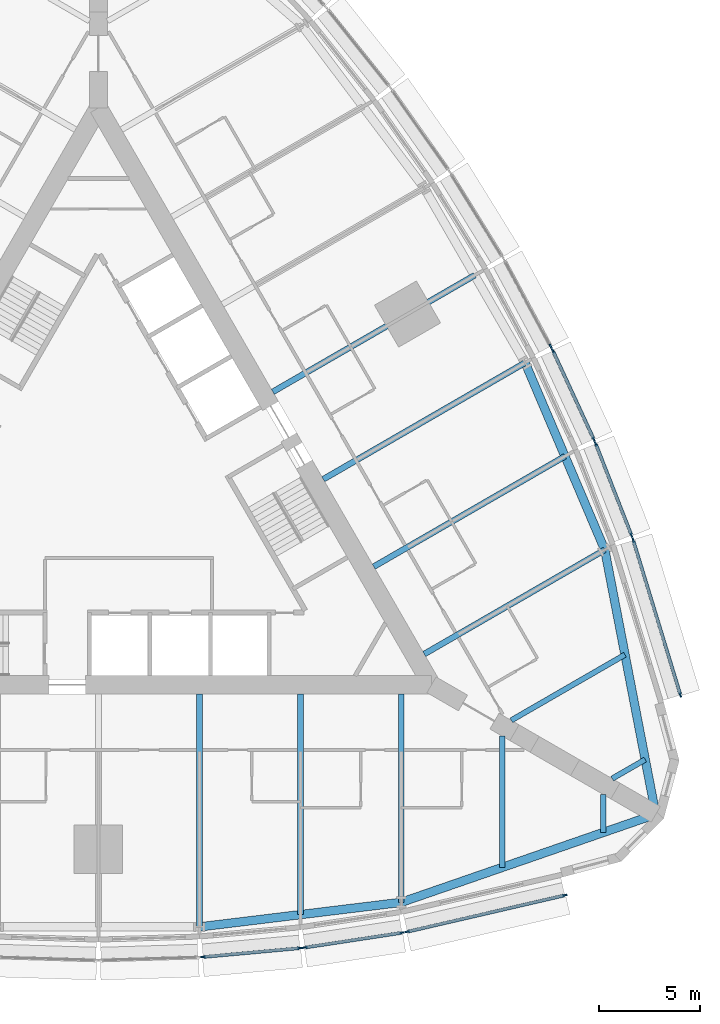
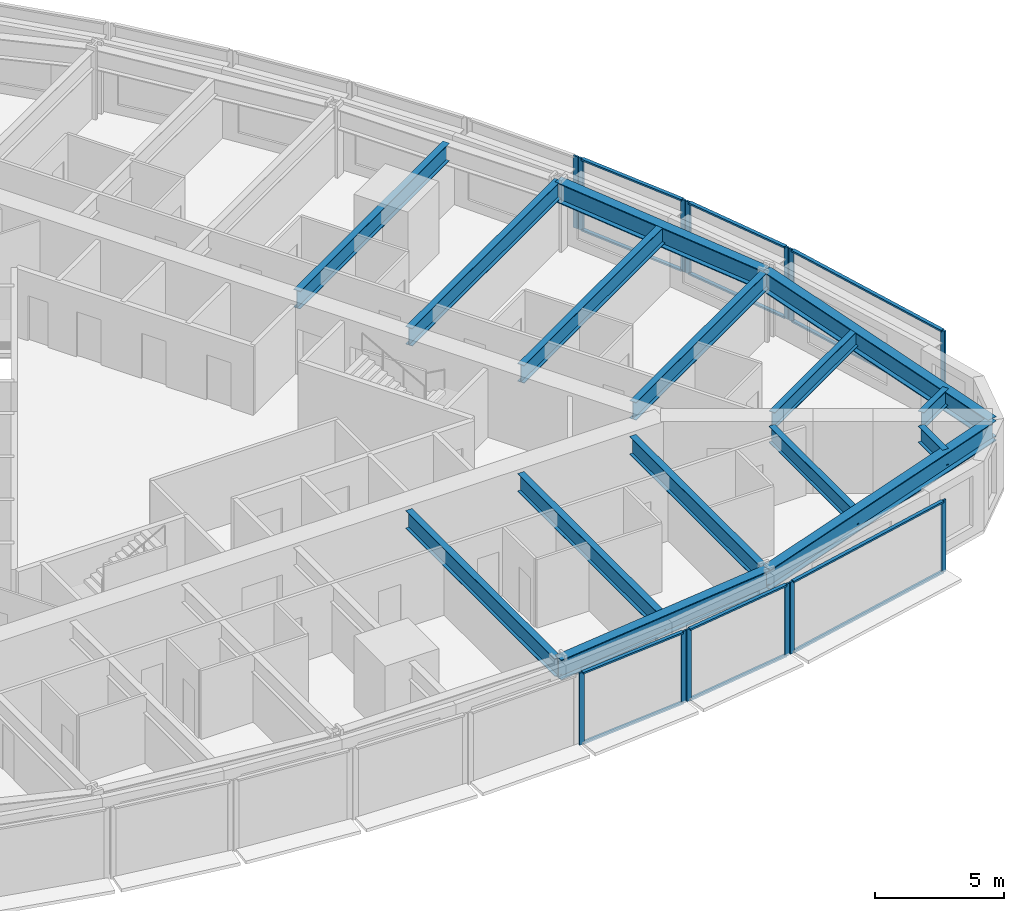
# One storey, part 3 of 14: 25 members, 15 beams, 7 elements without a shape of their own.
"""IFC4 building model written with IfcOpenShell, lengths in metres."""

from ifc_helpers import new_model, si_unit, direction, frame, origin, origin_2d, place, context, subcontext, project, spatial, rectangle, i_section, extrude, material, material_profile, profile_set, type_object, element, aggregate, save


model = new_model("IFC4")

# Units and contexts
model_context = context("Model", 3, precision=1e-05, world=origin(), true_north=direction((0.0, 1.0)))
body_context = subcontext(model_context, "Body", "Model", "MODEL_VIEW")
ifc_project = project(units=[si_unit("LENGTHUNIT", "METRE"), si_unit("AREAUNIT", "SQUARE_METRE"), si_unit("VOLUMEUNIT", "CUBIC_METRE"), si_unit("PLANEANGLEUNIT", "RADIAN"), si_unit("MASSUNIT", "GRAM", prefix="KILO")], contexts=[model_context])

# Site, building, storey
site_placement = place(None, origin())
site = spatial("IfcSite", under=ifc_project, at=site_placement, CompositionType="ELEMENT")
building_placement = place(site_placement, origin())
building = spatial("IfcBuilding", under=site, at=building_placement, Name="Trikona Tower", CompositionType="ELEMENT")
storey_placement = place(building_placement, frame((0.0, 0.0, 28.5)))
storey = spatial("IfcBuildingStorey", under=building, at=storey_placement, Name="L05", CompositionType="ELEMENT", Elevation=28.5)

# Curtain wall, members
ifc_material_1 = material(Name="Aluminium curtain wall system", Category="aluminium")
curtain_wall_type = type_object("IfcCurtainWallType", Name="Curtain wall DS1", PredefinedType="NOTDEFINED", material=ifc_material_1)
curtain_wall_1_placement = place(storey_placement, origin())
curtain_wall_1 = element("IfcCurtainWall", 1, at=curtain_wall_1_placement, inside=storey, type_object=curtain_wall_type, Name="Curtain wall DS1 L05", PredefinedType="NOTDEFINED")
ifc_material_2 = material(Name="Aluminium mullion, pale anodised", Category="aluminium")
ifc_material_profile_1 = material_profile(ifc_material_2, rectangle(XDim=0.080078125, YDim=0.219970703125, at=origin_2d()), Name="MUL-DS1")
ifc_profile_set_1 = profile_set([ifc_material_profile_1], Name="Aluminium mullion, pale anodised")
member_type_1 = type_object("IfcMemberType", Name="Mullion DS1 80x220", PredefinedType="MULLION", material=ifc_profile_set_1)
member_1_placement = place(storey_placement, frame((5.181396484375, -23.007568359375, 0.0), z_axis=(0.0, 0.0, 1.0), x_axis=(-0.090923932737, 0.995857840485, 0.0)))
member_1 = element("IfcMember", 2, at=member_1_placement, type_object=member_type_1, Name="CW-DS1 mullion 1", PredefinedType="MULLION", context=body_context, shape_type="SweptSolid", body=[
    extrude(rectangle(XDim=0.080078125, YDim=0.219970703125, at=origin_2d()), origin(), (0.0, 0.0, 1.0), 3.39990234375),
])
member_2_placement = place(storey_placement, frame((9.982177734375, -22.5693359375, 0.0), z_axis=(0.0, 0.0, 1.0), x_axis=(-0.090923932737, 0.995857840485, 0.0)))
member_2 = element("IfcMember", 3, at=member_2_placement, type_object=member_type_1, Name="CW-DS1 mullion 2", PredefinedType="MULLION", context=body_context, shape_type="SweptSolid", body=[
    extrude(rectangle(XDim=0.080078125, YDim=0.219970703125, at=origin_2d()), origin(), (0.0, 0.0, 1.0), 3.39990234375),
])

curtain_wall_2_placement = place(storey_placement, origin())
curtain_wall_2 = element("IfcCurtainWall", 4, at=curtain_wall_2_placement, inside=storey, type_object=curtain_wall_type, Name="Curtain wall DS1 L05", PredefinedType="NOTDEFINED")
member_3_placement = place(storey_placement, frame((10.234130859375, -22.53857421875, 0.0), z_axis=(0.0, 0.0, 1.0), x_axis=(-0.150437693845, 0.988619492156, 0.0)))
member_3 = element("IfcMember", 5, at=member_3_placement, type_object=member_type_1, Name="CW-DS1 mullion 1", PredefinedType="MULLION", context=body_context, shape_type="SweptSolid", body=[
    extrude(rectangle(XDim=0.080078125, YDim=0.219970703125, at=origin_2d()), origin(), (0.0, 0.0, 1.0), 3.39990234375),
])
member_4_placement = place(storey_placement, frame((15.03662109375, -21.807861328125, 0.0), z_axis=(0.0, 0.0, 1.0), x_axis=(-0.150437693845, 0.988619492156, 0.0)))
member_4 = element("IfcMember", 6, at=member_4_placement, type_object=member_type_1, Name="CW-DS1 mullion 2", PredefinedType="MULLION", context=body_context, shape_type="SweptSolid", body=[
    extrude(rectangle(XDim=0.080078125, YDim=0.219970703125, at=origin_2d()), origin(), (0.0, 0.0, 1.0), 3.39990234375),
])

curtain_wall_3_placement = place(storey_placement, origin())
curtain_wall_3 = element("IfcCurtainWall", 7, at=curtain_wall_3_placement, inside=storey, type_object=curtain_wall_type, Name="Curtain wall DS1 L05", PredefinedType="NOTDEFINED")
member_5_placement = place(storey_placement, frame((15.30029296875, -21.75732421875, 0.0), z_axis=(0.0, 0.0, 1.0), x_axis=(-0.225343288756, 0.974279427173, 0.0)))
member_5 = element("IfcMember", 8, at=member_5_placement, type_object=member_type_1, Name="CW-DS1 mullion 1", PredefinedType="MULLION", context=body_context, shape_type="SweptSolid", body=[
    extrude(rectangle(XDim=0.080078125, YDim=0.219970703125, at=origin_2d()), origin(), (0.0, 0.0, 1.0), 3.39990234375),
])
member_6_placement = place(storey_placement, frame((23.10546875, -19.951904296875, 0.0), z_axis=(0.0, 0.0, 1.0), x_axis=(-0.225343288756, 0.974279427173, 0.0)))
member_6 = element("IfcMember", 9, at=member_6_placement, type_object=member_type_1, Name="CW-DS1 mullion 2", PredefinedType="MULLION", context=body_context, shape_type="SweptSolid", body=[
    extrude(rectangle(XDim=0.080078125, YDim=0.219970703125, at=origin_2d()), origin(), (0.0, 0.0, 1.0), 3.39990234375),
])

curtain_wall_4_placement = place(storey_placement, origin())
curtain_wall_4 = element("IfcCurtainWall", 10, at=curtain_wall_4_placement, inside=storey, type_object=curtain_wall_type, Name="Curtain wall DS1 L05", PredefinedType="NOTDEFINED")
member_7_placement = place(storey_placement, frame((28.83154296875, -10.033935546875, 0.0), z_axis=(0.0, 0.0, 1.0), x_axis=(-0.956423115383, -0.291984287868, 0.0)))
member_7 = element("IfcMember", 11, at=member_7_placement, type_object=member_type_1, Name="CW-DS1 mullion 1", PredefinedType="MULLION", context=body_context, shape_type="SweptSolid", body=[
    extrude(rectangle(XDim=0.080078125, YDim=0.219970703125, at=origin_2d()), origin(), (0.0, 0.0, 1.0), 3.39990234375),
])
member_8_placement = place(storey_placement, frame((26.492431640625, -2.371826171875, 0.0), z_axis=(0.0, 0.0, 1.0), x_axis=(-0.956423115383, -0.291984287868, 0.0)))
member_8 = element("IfcMember", 12, at=member_8_placement, type_object=member_type_1, Name="CW-DS1 mullion 2", PredefinedType="MULLION", context=body_context, shape_type="SweptSolid", body=[
    extrude(rectangle(XDim=0.080078125, YDim=0.219970703125, at=origin_2d()), origin(), (0.0, 0.0, 1.0), 3.39990234375),
])

curtain_wall_5_placement = place(storey_placement, origin())
curtain_wall_5 = element("IfcCurtainWall", 13, at=curtain_wall_5_placement, inside=storey, type_object=curtain_wall_type, Name="Curtain wall DS1 L05", PredefinedType="NOTDEFINED")
member_9_placement = place(storey_placement, frame((26.404296875, -2.1181640625, 0.0), z_axis=(0.0, 0.0, 1.0), x_axis=(-0.931395989443, -0.36400756977, 0.0)))
member_9 = element("IfcMember", 14, at=member_9_placement, type_object=member_type_1, Name="CW-DS1 mullion 1", PredefinedType="MULLION", context=body_context, shape_type="SweptSolid", body=[
    extrude(rectangle(XDim=0.080078125, YDim=0.219970703125, at=origin_2d()), origin(), (0.0, 0.0, 1.0), 3.39990234375),
])
member_10_placement = place(storey_placement, frame((24.63623046875, 2.40625, 0.0), z_axis=(0.0, 0.0, 1.0), x_axis=(-0.931395989443, -0.36400756977, 0.0)))
member_10 = element("IfcMember", 15, at=member_10_placement, type_object=member_type_1, Name="CW-DS1 mullion 2", PredefinedType="MULLION", context=body_context, shape_type="SweptSolid", body=[
    extrude(rectangle(XDim=0.080078125, YDim=0.219970703125, at=origin_2d()), origin(), (0.0, 0.0, 1.0), 3.39990234375),
])

curtain_wall_6_placement = place(storey_placement, origin())
curtain_wall_6 = element("IfcCurtainWall", 16, at=curtain_wall_6_placement, inside=storey, type_object=curtain_wall_type, Name="Curtain wall DS1 L05", PredefinedType="NOTDEFINED")
member_11_placement = place(storey_placement, frame((24.53662109375, 2.6396484375, 0.0), z_axis=(0.0, 0.0, 1.0), x_axis=(-0.907898459992, -0.419190155352, 0.0)))
member_11 = element("IfcMember", 17, at=member_11_placement, type_object=member_type_1, Name="CW-DS1 mullion 1", PredefinedType="MULLION", context=body_context, shape_type="SweptSolid", body=[
    extrude(rectangle(XDim=0.080078125, YDim=0.219970703125, at=origin_2d()), origin(), (0.0, 0.0, 1.0), 3.39990234375),
])
member_12_placement = place(storey_placement, frame((22.515869140625, 7.0166015625, 0.0), z_axis=(0.0, 0.0, 1.0), x_axis=(-0.907898459992, -0.419190155352, 0.0)))
member_12 = element("IfcMember", 18, at=member_12_placement, type_object=member_type_1, Name="CW-DS1 mullion 2", PredefinedType="MULLION", context=body_context, shape_type="SweptSolid", body=[
    extrude(rectangle(XDim=0.080078125, YDim=0.219970703125, at=origin_2d()), origin(), (0.0, 0.0, 1.0), 3.39990234375),
])

# Curtain wall, member
curtain_wall_7_placement = place(storey_placement, origin())
curtain_wall_7 = element("IfcCurtainWall", 19, at=curtain_wall_7_placement, inside=storey, type_object=curtain_wall_type, Name="Curtain wall DS1 L05", PredefinedType="NOTDEFINED")
member_13_placement = place(storey_placement, frame((22.402099609375, 7.244140625, 0.0), z_axis=(0.0, 0.0, 1.0), x_axis=(-0.880843080975, -0.473408350896, 0.0)))
member_13 = element("IfcMember", 20, at=member_13_placement, type_object=member_type_1, Name="CW-DS1 mullion 1", PredefinedType="MULLION", context=body_context, shape_type="SweptSolid", body=[
    extrude(rectangle(XDim=0.080078125, YDim=0.219970703125, at=origin_2d()), origin(), (0.0, 0.0, 1.0), 3.39990234375),
])
aggregate(curtain_wall_7, [member_13])

# Beams
ifc_material_3 = material(Name="Steel ASTM A992 Grade 50", Category="steel")
ifc_material_profile_2 = material_profile(ifc_material_3, i_section(OverallWidth=0.2666015625, OverallDepth=0.76953125, WebThickness=0.015625, FlangeThickness=0.025390625, at=origin_2d()), Name="W30X132")
ifc_profile_set_2 = profile_set([ifc_material_profile_2], Name="Steel ASTM A992 Grade 50")
beam_type_1 = type_object("IfcBeamType", Name="Steel beam W30x132 (wedge)", PredefinedType="BEAM", material=ifc_profile_set_2)
beam_1_placement = place(storey_placement, frame((20.0, -12.066650390625, 2.85009765625), z_axis=(0.0, -1.0, 0.0), x_axis=(1.0, 0.0, 0.0)))
element("IfcBeam", 21, at=beam_1_placement, inside=storey, type_object=beam_type_1, Name="Floor beam L06 F1 u20", PredefinedType="BEAM", context=body_context, shape_type="SweptSolid", body=[
    extrude(i_section(OverallWidth=0.2666015625, OverallDepth=0.76953125, WebThickness=0.015625, FlangeThickness=0.025390625, at=origin_2d()), origin(), (0.0, 0.0, 1.0), 6.5068359375),
])
for number, where, z_axis, x_axis, name in (
    (22, (25.0, -14.953369140625, 2.85009765625), (0.0, -1.0, 0.0), (1.0, 0.0, 0.0), "Floor beam L06 F1 u25"),
    (23, (25.449951171875, -14.173828125, 2.85009765625), (0.866065156741, 0.499931139538, 0.0), (-0.499931139538, 0.866065156741, 0.0), "Floor beam L06 F2 u-25"),
):
    element("IfcBeam", number, at=place(storey_placement, frame(where, z_axis=z_axis, x_axis=x_axis)), inside=storey, type_object=beam_type_1, Name=name, PredefinedType="BEAM", context=body_context, shape_type="SweptSolid", body=[
        extrude(i_section(OverallWidth=0.2666015625, OverallDepth=0.76953125, WebThickness=0.015625, FlangeThickness=0.025390625, at=origin_2d()), origin(), (0.0, 0.0, 1.0), 1.890380859375),
    ])
beam_2_placement = place(storey_placement, frame((20.449951171875, -11.287109375, 2.85009765625), z_axis=(0.866022504693, 0.50000502134, 0.0), x_axis=(-0.50000502134, 0.866022504693, 0.0)))
element("IfcBeam", 24, at=beam_2_placement, inside=storey, type_object=beam_type_1, Name="Floor beam L06 F2 u-20", PredefinedType="BEAM", context=body_context, shape_type="SweptSolid", body=[
    extrude(i_section(OverallWidth=0.2666015625, OverallDepth=0.76953125, WebThickness=0.015625, FlangeThickness=0.025390625, at=origin_2d()), origin(), (0.0, 0.0, 1.0), 6.5068359375),
])
ifc_material_4 = material(Name="Steel ASTM A992 Grade 50", Category="steel")
ifc_material_profile_3 = material_profile(ifc_material_4, i_section(OverallWidth=0.2919921875, OverallDepth=0.845703125, WebThickness=0.015380859375, FlangeThickness=0.0244140625, at=origin_2d()), Name="W33X141")
ifc_profile_set_3 = profile_set([ifc_material_profile_3], Name="Steel ASTM A992 Grade 50")
beam_type_2 = type_object("IfcBeamType", Name="Steel beam W33x141 (radial typ)", PredefinedType="BEAM", material=ifc_profile_set_3)
beam_3_placement = place(storey_placement, frame((5.0, -9.976318359375, 2.81201171875), z_axis=(0.0, -1.0, 0.0), x_axis=(1.0, 0.0, 0.0)))
element("IfcBeam", 25, at=beam_3_placement, inside=storey, type_object=beam_type_2, Name="Floor beam L06 F1 u5", PredefinedType="BEAM", context=body_context, shape_type="SweptSolid", body=[
    extrude(i_section(OverallWidth=0.2919921875, OverallDepth=0.845703125, WebThickness=0.015380859375, FlangeThickness=0.0244140625, at=origin_2d()), origin(), (0.0, 0.0, 1.0), 11.544189453125),
])
beam_4_placement = place(storey_placement, frame((10.0, -9.976318359375, 2.81201171875), z_axis=(0.0, -1.0, 0.0), x_axis=(1.0, 0.0, 0.0)))
element("IfcBeam", 26, at=beam_4_placement, inside=storey, type_object=beam_type_2, Name="Floor beam L06 F1 u10", PredefinedType="BEAM", context=body_context, shape_type="SweptSolid", body=[
    extrude(i_section(OverallWidth=0.2919921875, OverallDepth=0.845703125, WebThickness=0.015380859375, FlangeThickness=0.0244140625, at=origin_2d()), origin(), (0.0, 0.0, 1.0), 10.935302734375),
])
beam_5_placement = place(storey_placement, frame((15.0, -9.976318359375, 2.81201171875), z_axis=(0.0, -1.0, 0.0), x_axis=(1.0, 0.0, 0.0)))
element("IfcBeam", 27, at=beam_5_placement, inside=storey, type_object=beam_type_2, Name="Floor beam L06 F1 u15", PredefinedType="BEAM", context=body_context, shape_type="SweptSolid", body=[
    extrude(i_section(OverallWidth=0.2919921875, OverallDepth=0.845703125, WebThickness=0.015380859375, FlangeThickness=0.0244140625, at=origin_2d()), origin(), (0.0, 0.0, 1.0), 10.32666015625),
])
beam_6_placement = place(storey_placement, frame((16.1396484375, -8.002197265625, 2.81201171875), z_axis=(0.866030471684, 0.499991222037, 0.0), x_axis=(-0.499991222037, 0.866030471684, 0.0)))
element("IfcBeam", 28, at=beam_6_placement, inside=storey, type_object=beam_type_2, Name="Floor beam L06 F2 u-15", PredefinedType="BEAM", context=body_context, shape_type="SweptSolid", body=[
    extrude(i_section(OverallWidth=0.2919921875, OverallDepth=0.845703125, WebThickness=0.015380859375, FlangeThickness=0.0244140625, at=origin_2d()), origin(), (0.0, 0.0, 1.0), 10.326904296875),
])
beam_7_placement = place(storey_placement, frame((13.6396484375, -3.672119140625, 2.81201171875), z_axis=(0.866025348605, 0.500000095573, 0.0), x_axis=(-0.500000095573, 0.866025348605, 0.0)))
element("IfcBeam", 29, at=beam_7_placement, inside=storey, type_object=beam_type_2, Name="Floor beam L06 F2 u-10", PredefinedType="BEAM", context=body_context, shape_type="SweptSolid", body=[
    extrude(i_section(OverallWidth=0.2919921875, OverallDepth=0.845703125, WebThickness=0.015380859375, FlangeThickness=0.0244140625, at=origin_2d()), origin(), (0.0, 0.0, 1.0), 10.935546875),
])
for number, where, z_axis, x_axis, name in (
    (30, (11.1396484375, 0.657958984375, 2.81201171875), (0.866020765707, 0.500008033299, 0.0), (-0.500008033299, 0.866020765707, 0.0), "Floor beam L06 F2 u-5"),
    (31, (8.6396484375, 4.988037109375, 2.81201171875), (0.866020765707, 0.500008033299, 0.0), (-0.500008033299, 0.866020765707, 0.0), "Floor beam L06 F2 u0"),
):
    element("IfcBeam", number, at=place(storey_placement, frame(where, z_axis=z_axis, x_axis=x_axis)), inside=storey, type_object=beam_type_2, Name=name, PredefinedType="BEAM", context=body_context, shape_type="SweptSolid", body=[
        extrude(i_section(OverallWidth=0.2919921875, OverallDepth=0.845703125, WebThickness=0.015380859375, FlangeThickness=0.0244140625, at=origin_2d()), origin(), (0.0, 0.0, 1.0), 11.544189453125),
    ])
ifc_material_5 = material(Name="Steel ASTM A992 Grade 50", Category="steel")
ifc_material_profile_4 = material_profile(ifc_material_5, i_section(OverallWidth=0.424072265625, OverallDepth=0.947509765625, WebThickness=0.02392578125, FlangeThickness=0.042724609375, at=origin_2d()), Name="W36X302")
ifc_profile_set_4 = profile_set([ifc_material_profile_4], Name="Steel ASTM A992 Grade 50")
beam_type_3 = type_object("IfcBeamType", Name="Steel beam W36x302 (spandrel)", PredefinedType="SPANDREL", material=ifc_profile_set_4)
beam_8_placement = place(storey_placement, frame((5.0, -21.5205078125, 2.76123046875), z_axis=(0.99266951126, 0.120860421207, 0.0), x_axis=(-0.120860421207, 0.99266951126, 0.0)))
element("IfcBeam", 32, at=beam_8_placement, inside=storey, type_object=beam_type_3, Name="Spandrel beam L06 F1-4", PredefinedType="SPANDREL", context=body_context, shape_type="SweptSolid", body=[
    extrude(i_section(OverallWidth=0.424072265625, OverallDepth=0.947509765625, WebThickness=0.02392578125, FlangeThickness=0.042724609375, at=origin_2d()), origin(), (0.0, 0.0, 1.0), 10.07373046875),
])
for number, where, z_axis, x_axis, name in (
    (33, (15.0, -20.302978515625, 2.76123046875), (0.945056965739, 0.326905692071, 0.0), (-0.326905692071, 0.945056965739, 0.0), "Spandrel beam L06 F1-5"),
    (34, (27.6103515625, -15.94091796875, 2.76123046875), (-0.189405184036, 0.981899015307, 0.0), (-0.981899015307, -0.189405184036, 0.0), "Spandrel beam L06 F2-1"),
):
    element("IfcBeam", number, at=place(storey_placement, frame(where, z_axis=z_axis, x_axis=x_axis)), inside=storey, type_object=beam_type_3, Name=name, PredefinedType="SPANDREL", context=body_context, shape_type="SweptSolid", body=[
        extrude(i_section(OverallWidth=0.424072265625, OverallDepth=0.947509765625, WebThickness=0.02392578125, FlangeThickness=0.042724609375, at=origin_2d()), origin(), (0.0, 0.0, 1.0), 13.343505859375),
    ])
beam_9_placement = place(storey_placement, frame((25.0830078125, -2.8388671875, 2.76123046875), z_axis=(-0.391683514847, 0.920100007715, 0.0), x_axis=(-0.920100007715, -0.391683514847, 0.0)))
element("IfcBeam", 35, at=beam_9_placement, inside=storey, type_object=beam_type_3, Name="Spandrel beam L06 F2-2", PredefinedType="SPANDREL", context=body_context, shape_type="SweptSolid", body=[
    extrude(i_section(OverallWidth=0.424072265625, OverallDepth=0.947509765625, WebThickness=0.02392578125, FlangeThickness=0.042724609375, at=origin_2d()), origin(), (0.0, 0.0, 1.0), 10.073974609375),
])

# Member
ifc_material_6 = material(Name="Aluminium transom, pale anodised", Category="aluminium")
ifc_material_profile_5 = material_profile(ifc_material_6, rectangle(XDim=0.159912109375, YDim=0.080078125, at=origin_2d()), Name="TRN-DS1")
ifc_profile_set_5 = profile_set([ifc_material_profile_5], Name="Aluminium transom, pale anodised")
member_type_2 = type_object("IfcMemberType", Name="Transom DS1 80x160", PredefinedType="USERDEFINED", material=ifc_profile_set_5)
member_14_placement = place(storey_placement, frame((5.22119140625, -23.00390625, 0.0400390625), z_axis=(0.995855977008, 0.090944340438, 0.0), x_axis=(-0.090944340438, 0.995855977008, 0.0)))
member_14 = element("IfcMember", 36, at=member_14_placement, type_object=member_type_2, Name="CW-DS1 transom 1.1", ObjectType="TRANSOM", PredefinedType="USERDEFINED", context=body_context, shape_type="SweptSolid", body=[
    extrude(rectangle(XDim=0.159912109375, YDim=0.080078125, at=origin_2d()), origin(), (0.0, 0.0, 1.0), 4.74072265625),
])

member_15_placement = place(storey_placement, frame((5.22119140625, -23.00390625, 3.360107421875), z_axis=(0.995855977008, 0.090944340438, 0.0), x_axis=(-0.090944340438, 0.995855977008, 0.0)))
member_15 = element("IfcMember", 37, at=member_15_placement, type_object=member_type_2, Name="CW-DS1 transom 1.2", ObjectType="TRANSOM", PredefinedType="USERDEFINED", context=body_context, shape_type="SweptSolid", body=[
    extrude(rectangle(XDim=0.159912109375, YDim=0.080078125, at=origin_2d()), origin(), (0.0, 0.0, 1.0), 4.74072265625),
])

aggregate(curtain_wall_1, [member_1, member_2, member_14, member_15])

member_16_placement = place(storey_placement, frame((10.273681640625, -22.532470703125, 0.0400390625), z_axis=(0.988619663412, 0.150436568413, 0.0), x_axis=(-0.150436568413, 0.988619663412, 0.0)))
member_16 = element("IfcMember", 38, at=member_16_placement, type_object=member_type_2, Name="CW-DS1 transom 1.1", ObjectType="TRANSOM", PredefinedType="USERDEFINED", context=body_context, shape_type="SweptSolid", body=[
    extrude(rectangle(XDim=0.159912109375, YDim=0.080078125, at=origin_2d()), origin(), (0.0, 0.0, 1.0), 4.77783203125),
])

member_17_placement = place(storey_placement, frame((10.273681640625, -22.532470703125, 3.360107421875), z_axis=(0.988619663412, 0.150436568413, 0.0), x_axis=(-0.150436568413, 0.988619663412, 0.0)))
member_17 = element("IfcMember", 39, at=member_17_placement, type_object=member_type_2, Name="CW-DS1 transom 1.2", ObjectType="TRANSOM", PredefinedType="USERDEFINED", context=body_context, shape_type="SweptSolid", body=[
    extrude(rectangle(XDim=0.159912109375, YDim=0.080078125, at=origin_2d()), origin(), (0.0, 0.0, 1.0), 4.77783203125),
])

aggregate(curtain_wall_2, [member_3, member_4, member_16, member_17])

member_18_placement = place(storey_placement, frame((15.33935546875, -21.748291015625, 0.0400390625), z_axis=(0.974275371842, 0.225360821398, 0.0), x_axis=(-0.225360821398, 0.974275371842, 0.0)))
member_18 = element("IfcMember", 40, at=member_18_placement, type_object=member_type_2, Name="CW-DS1 transom 1.1", ObjectType="TRANSOM", PredefinedType="USERDEFINED", context=body_context, shape_type="SweptSolid", body=[
    extrude(rectangle(XDim=0.159912109375, YDim=0.080078125, at=origin_2d()), origin(), (0.0, 0.0, 1.0), 7.93115234375),
])

member_19_placement = place(storey_placement, frame((15.33935546875, -21.748291015625, 3.360107421875), z_axis=(0.974275371842, 0.225360821398, 0.0), x_axis=(-0.225360821398, 0.974275371842, 0.0)))
member_19 = element("IfcMember", 41, at=member_19_placement, type_object=member_type_2, Name="CW-DS1 transom 1.2", ObjectType="TRANSOM", PredefinedType="USERDEFINED", context=body_context, shape_type="SweptSolid", body=[
    extrude(rectangle(XDim=0.159912109375, YDim=0.080078125, at=origin_2d()), origin(), (0.0, 0.0, 1.0), 7.93115234375),
])

aggregate(curtain_wall_3, [member_5, member_6, member_18, member_19])

member_20_placement = place(storey_placement, frame((28.81982421875, -9.99560546875, 0.0400390625), z_axis=(-0.291967490203, 0.956428243343, 0.0), x_axis=(-0.956428243343, -0.291967490203, 0.0)))
member_20 = element("IfcMember", 42, at=member_20_placement, type_object=member_type_2, Name="CW-DS1 transom 1.1", ObjectType="TRANSOM", PredefinedType="USERDEFINED", context=body_context, shape_type="SweptSolid", body=[
    extrude(rectangle(XDim=0.159912109375, YDim=0.080078125, at=origin_2d()), origin(), (0.0, 0.0, 1.0), 7.93115234375),
])

member_21_placement = place(storey_placement, frame((28.81982421875, -9.99560546875, 3.360107421875), z_axis=(-0.291967490203, 0.956428243343, 0.0), x_axis=(-0.956428243343, -0.291967490203, 0.0)))
member_21 = element("IfcMember", 43, at=member_21_placement, type_object=member_type_2, Name="CW-DS1 transom 1.2", ObjectType="TRANSOM", PredefinedType="USERDEFINED", context=body_context, shape_type="SweptSolid", body=[
    extrude(rectangle(XDim=0.159912109375, YDim=0.080078125, at=origin_2d()), origin(), (0.0, 0.0, 1.0), 7.93115234375),
])

aggregate(curtain_wall_4, [member_7, member_8, member_20, member_21])

member_22_placement = place(storey_placement, frame((26.389892578125, -2.080810546875, 0.0400390625), z_axis=(-0.364048647668, 0.931379934362, 0.0), x_axis=(-0.931379934362, -0.364048647668, 0.0)))
member_22 = element("IfcMember", 44, at=member_22_placement, type_object=member_type_2, Name="CW-DS1 transom 1.1", ObjectType="TRANSOM", PredefinedType="USERDEFINED", context=body_context, shape_type="SweptSolid", body=[
    extrude(rectangle(XDim=0.159912109375, YDim=0.080078125, at=origin_2d()), origin(), (0.0, 0.0, 1.0), 4.777587890625),
])

member_23_placement = place(storey_placement, frame((26.389892578125, -2.080810546875, 3.360107421875), z_axis=(-0.364048647668, 0.931379934362, 0.0), x_axis=(-0.931379934362, -0.364048647668, 0.0)))
member_23 = element("IfcMember", 45, at=member_23_placement, type_object=member_type_2, Name="CW-DS1 transom 1.2", ObjectType="TRANSOM", PredefinedType="USERDEFINED", context=body_context, shape_type="SweptSolid", body=[
    extrude(rectangle(XDim=0.159912109375, YDim=0.080078125, at=origin_2d()), origin(), (0.0, 0.0, 1.0), 4.777587890625),
])

aggregate(curtain_wall_5, [member_9, member_10, member_22, member_23])

member_24_placement = place(storey_placement, frame((24.52001953125, 2.676025390625, 0.0400390625), z_axis=(-0.419188800665, 0.90789908547, 0.0), x_axis=(-0.90789908547, -0.419188800665, 0.0)))
member_24 = element("IfcMember", 46, at=member_24_placement, type_object=member_type_2, Name="CW-DS1 transom 1.1", ObjectType="TRANSOM", PredefinedType="USERDEFINED", context=body_context, shape_type="SweptSolid", body=[
    extrude(rectangle(XDim=0.159912109375, YDim=0.080078125, at=origin_2d()), origin(), (0.0, 0.0, 1.0), 4.74072265625),
])

member_25_placement = place(storey_placement, frame((24.52001953125, 2.676025390625, 3.360107421875), z_axis=(-0.419188800665, 0.90789908547, 0.0), x_axis=(-0.90789908547, -0.419188800665, 0.0)))
member_25 = element("IfcMember", 47, at=member_25_placement, type_object=member_type_2, Name="CW-DS1 transom 1.2", ObjectType="TRANSOM", PredefinedType="USERDEFINED", context=body_context, shape_type="SweptSolid", body=[
    extrude(rectangle(XDim=0.159912109375, YDim=0.080078125, at=origin_2d()), origin(), (0.0, 0.0, 1.0), 4.74072265625),
])

aggregate(curtain_wall_6, [member_11, member_12, member_24, member_25])

save(model, "model.ifc")
